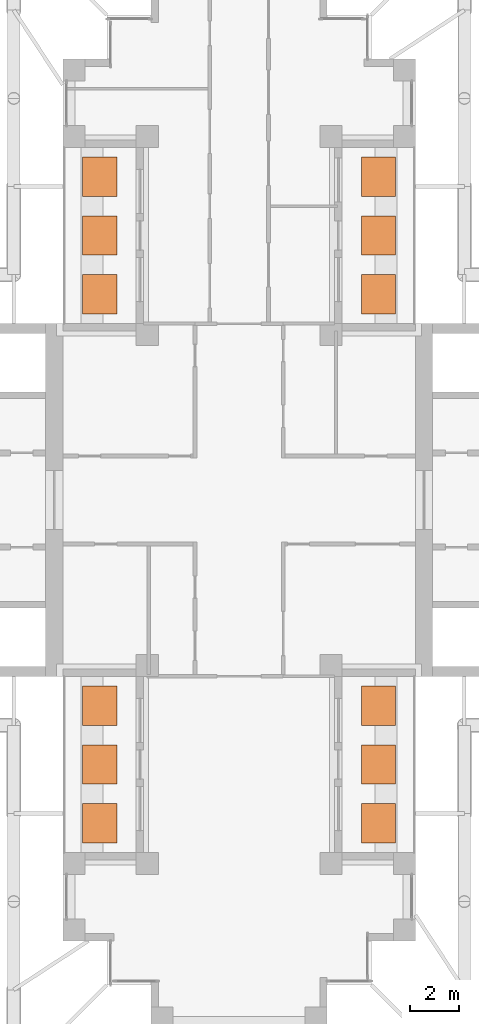
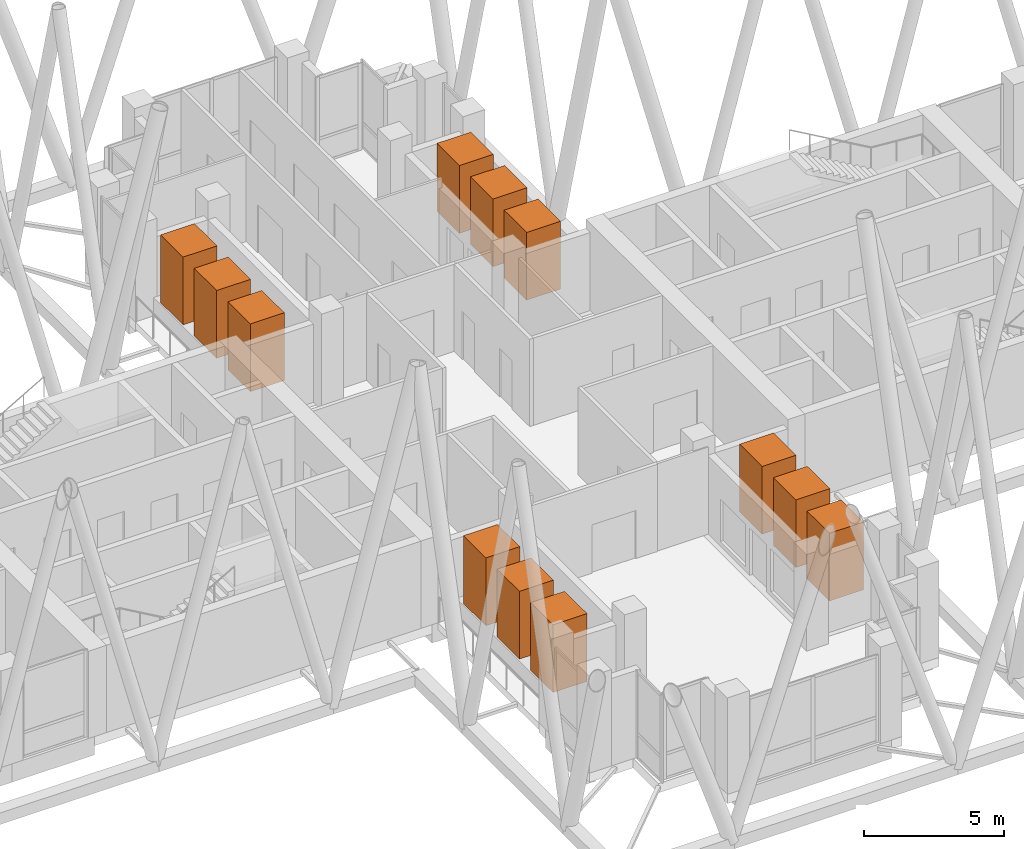
# One storey, part 19 of 19: 12 geographic elements.
"""IFC4 building model written with IfcOpenShell, lengths in metres."""

from ifc_helpers import new_model, si_unit, direction, frame, origin, origin_2d, place, context, subcontext, project, spatial, rectangle, extrude, material, element, save


model = new_model("IFC4")

# Units and contexts
model_context = context("Model", 3, precision=1e-05, world=origin(), true_north=direction((0.0, 1.0)))
body_context = subcontext(model_context, "Body", "Model", "MODEL_VIEW")
ifc_project = project(units=[si_unit("LENGTHUNIT", "METRE"), si_unit("AREAUNIT", "SQUARE_METRE"), si_unit("VOLUMEUNIT", "CUBIC_METRE"), si_unit("PLANEANGLEUNIT", "RADIAN"), si_unit("MASSUNIT", "GRAM", prefix="KILO")], contexts=[model_context])

# Site, building, storey
site_placement = place(None, origin())
site = spatial("IfcSite", under=ifc_project, at=site_placement, CompositionType="ELEMENT")
building_placement = place(site_placement, origin())
building = spatial("IfcBuilding", under=site, at=building_placement, Name="Fustian Cross Tower", CompositionType="ELEMENT")
storey_placement = place(building_placement, frame((0.0, 0.0, 166.5)))
storey = spatial("IfcBuildingStorey", under=building, at=storey_placement, Name="L52", CompositionType="ELEMENT", Elevation=166.5)

# Geographic elements
ifc_material = material(Name="Evergreen foliage")
for number, where, z_axis, x_axis, name in (
    (1, (5.68994140625, 8.39990234375, 0.7998046875), (0.0, 0.0, 1.0), (1.0, 0.0, 0.0), "TREE field maple"),
    (2, (5.68994140625, 10.800048828125, 0.7998046875), (0.0, 0.0, 1.0), (1.0, 0.0, 0.0), "TREE field maple"),
    (3, (5.68994140625, 13.199951171875, 0.7998046875), (0.0, 0.0, 1.0), (1.0, 0.0, 0.0), "TREE field maple"),
    (4, (-5.68994140625, 8.39990234375, 0.7998046875), (0.0, 0.0, 1.0), (1.0, 0.0, 0.0), "TREE field maple"),
    (5, (-5.68994140625, 10.800048828125, 0.7998046875), (0.0, 0.0, 1.0), (1.0, 0.0, 0.0), "TREE field maple"),
    (6, (-5.68994140625, 13.199951171875, 0.7998046875), (0.0, 0.0, 1.0), (1.0, 0.0, 0.0), "TREE field maple"),
    (7, (5.68994140625, -13.199951171875, 0.7998046875), (0.0, 0.0, 1.0), (1.0, 0.0, 0.0), "TREE field maple"),
    (8, (5.68994140625, -10.800048828125, 0.7998046875), (0.0, 0.0, 1.0), (1.0, 0.0, 0.0), "TREE field maple"),
    (9, (5.68994140625, -8.39990234375, 0.7998046875), (0.0, 0.0, 1.0), (1.0, 0.0, 0.0), "TREE field maple"),
    (10, (-5.68994140625, -13.199951171875, 0.7998046875), (0.0, 0.0, 1.0), (1.0, 0.0, 0.0), "TREE field maple"),
    (11, (-5.68994140625, -10.800048828125, 0.7998046875), (0.0, 0.0, 1.0), (1.0, 0.0, 0.0), "TREE field maple"),
    (12, (-5.68994140625, -8.39990234375, 0.7998046875), (0.0, 0.0, 1.0), (1.0, 0.0, 0.0), "TREE field maple"),
):
    element("IfcGeographicElement", number, at=place(storey_placement, frame(where, z_axis=z_axis, x_axis=x_axis)), inside=storey, material=ifc_material, Name=name, ObjectType="VEGETATION", PredefinedType="USERDEFINED", context=body_context, shape_type="SweptSolid", body=[
        extrude(rectangle(XDim=1.39990234375, YDim=1.60009765625, at=origin_2d()), origin(), (0.0, 0.0, 1.0), 2.949951171875),
    ])

save(model, "model.ifc")
